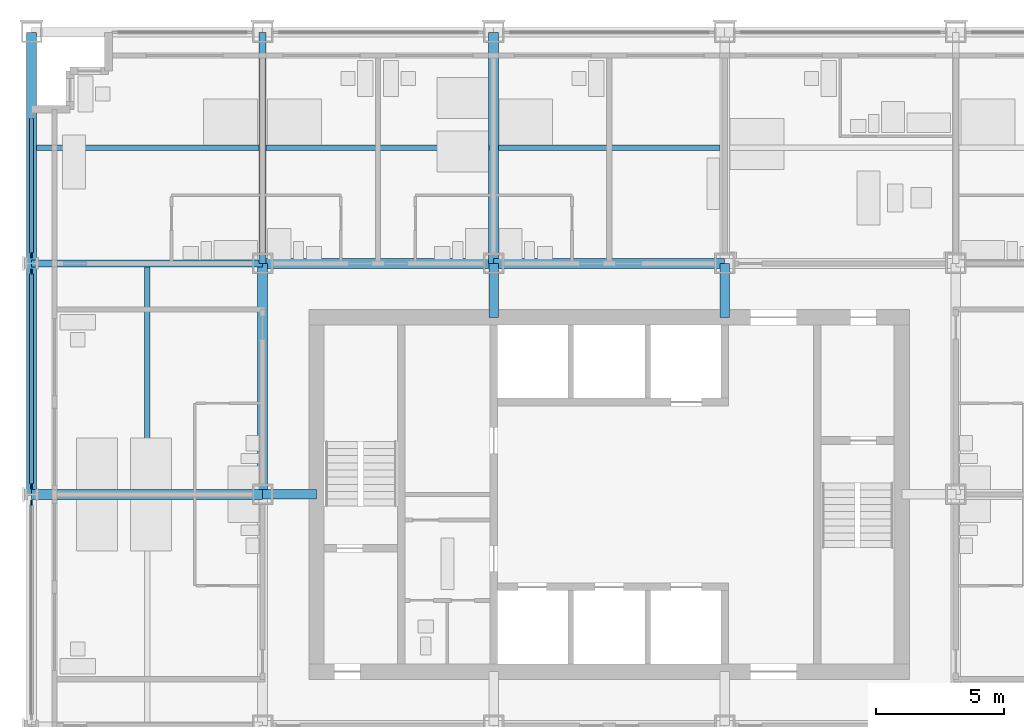
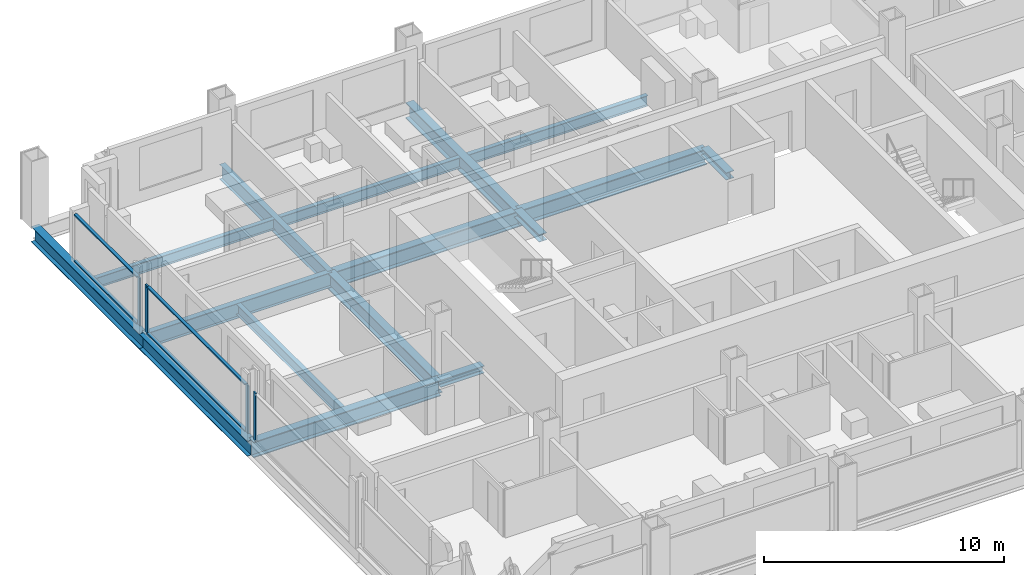
# One storey, part 4 of 16: 13 beams, 11 members, 3 elements without a shape of their own.
"""IFC4 building model written with IfcOpenShell, lengths in metres."""

from ifc_helpers import new_model, si_unit, direction, frame, origin, origin_2d, place, context, subcontext, project, spatial, rectangle, i_section, extrude, material, material_profile, profile_set, type_object, element, aggregate, save


model = new_model("IFC4")

# Units and contexts
model_context = context("Model", 3, precision=1e-05, world=origin(), true_north=direction((0.0, 1.0)))
body_context = subcontext(model_context, "Body", "Model", "MODEL_VIEW")
ifc_project = project(units=[si_unit("LENGTHUNIT", "METRE"), si_unit("AREAUNIT", "SQUARE_METRE"), si_unit("VOLUMEUNIT", "CUBIC_METRE"), si_unit("PLANEANGLEUNIT", "RADIAN"), si_unit("MASSUNIT", "GRAM", prefix="KILO")], contexts=[model_context])

# Site, building, storey
site_placement = place(None, origin())
site = spatial("IfcSite", under=ifc_project, at=site_placement, CompositionType="ELEMENT")
building_placement = place(site_placement, origin())
building = spatial("IfcBuilding", under=site, at=building_placement, Name="Loomwork Tower", CompositionType="ELEMENT")
storey_placement = place(building_placement, frame((0.0, 0.0, 131.60009765625)))
storey = spatial("IfcBuildingStorey", under=building, at=storey_placement, Name="L35", CompositionType="ELEMENT", Elevation=131.60009765625)

# Beams
ifc_material_1 = material(Name="Steel ASTM A992", Category="steel")
ifc_material_profile_1 = material_profile(ifc_material_1, i_section(OverallWidth=0.383544921875, OverallDepth=0.794921875, WebThickness=0.02099609375, FlangeThickness=0.0380859375, at=origin_2d()), Name="W30x235")
ifc_profile_set_1 = profile_set([ifc_material_profile_1], Name="Steel ASTM A992")
beam_type_1 = type_object("IfcBeamType", Name="CORE FLANK GIRDER W30x235", PredefinedType="BEAM", material=ifc_profile_set_1)
for number, where, z_axis, x_axis, name in (
    (1, (0.0, 18.0, -0.59765625), (1.0, 0.0, 0.0), (0.0, 1.0, 0.0), "Core Flank Girder F/2-F/3 L35"),
    (2, (9.0, 27.0, -0.59765625), (1.0, 0.0, 0.0), (0.0, 1.0, 0.0), "Core Flank Girder G/3-G/4 L35"),
    (3, (18.0, 27.0, -0.59765625), (1.0, 0.0, 0.0), (0.0, 1.0, 0.0), "Core Flank Girder G/4-G/5 L35"),
    (4, (9.0, 18.0, -0.59765625), (0.0, 1.0, 0.0), (-1.0, 0.0, 0.0), "Core Flank Girder F/3-G/3 L35"),
    (5, (18.0, 27.0, -0.59765625), (0.0, 1.0, 0.0), (-1.0, 0.0, 0.0), "Core Flank Girder G/4-H/4 L35"),
):
    element("IfcBeam", number, at=place(storey_placement, frame(where, z_axis=z_axis, x_axis=x_axis)), inside=storey, type_object=beam_type_1, Name=name, PredefinedType="BEAM", context=body_context, shape_type="SweptSolid", body=[
        extrude(i_section(OverallWidth=0.383544921875, OverallDepth=0.794921875, WebThickness=0.02099609375, FlangeThickness=0.0380859375, at=origin_2d()), origin(), (0.0, 0.0, 1.0), 9.0),
    ])

# Members
ifc_material_2 = material(Name="Steel ASTM A992", Category="steel")
ifc_material_profile_2 = material_profile(ifc_material_2, i_section(OverallWidth=0.373291015625, OverallDepth=0.373291015625, WebThickness=0.016357421875, FlangeThickness=0.026123046875, at=origin_2d()), Name="W14x132")
ifc_profile_set_2 = profile_set([ifc_material_profile_2], Name="Steel ASTM A992")
member_type_1 = type_object("IfcMemberType", Name="CORE LINK STRUT W14x132", PredefinedType="STRUT", material=ifc_profile_set_2)
for number, where, z_axis, x_axis, name in (
    (6, (27.0, 27.0, -0.38671875), (0.0, -1.0, 0.0), (1.0, 0.0, 0.0), "Core link strut G/5-27.000,24.900 L35"),
    (7, (18.0, 27.0, -0.38671875), (0.0, -1.0, 0.0), (1.0, 0.0, 0.0), "Core link strut G/4-18.000,24.900 L35"),
    (8, (9.0, 18.0, -0.38671875), (1.0, 0.0, 0.0), (0.0, 1.0, 0.0), "Core link strut F/3-11.100,18.000 L35"),
):
    element("IfcMember", number, at=place(storey_placement, frame(where, z_axis=z_axis, x_axis=x_axis)), inside=storey, type_object=member_type_1, Name=name, PredefinedType="STRUT", context=body_context, shape_type="SweptSolid", body=[
        extrude(i_section(OverallWidth=0.373291015625, OverallDepth=0.373291015625, WebThickness=0.016357421875, FlangeThickness=0.026123046875, at=origin_2d()), origin(), (0.0, 0.0, 1.0), 2.10009765625),
    ])

# Beams
ifc_material_3 = material(Name="Steel ASTM A992", Category="steel")
ifc_material_profile_3 = material_profile(ifc_material_3, i_section(OverallWidth=0.2666015625, OverallDepth=0.761962890625, WebThickness=0.014404296875, FlangeThickness=0.021484375, at=origin_2d()), Name="W30x116")
ifc_profile_set_3 = profile_set([ifc_material_profile_3], Name="Steel ASTM A992")
beam_type_2 = type_object("IfcBeamType", Name="FLOOR GIRDER W30x116", PredefinedType="BEAM", material=ifc_profile_set_3)
for number, where, z_axis, x_axis, name in (
    (9, (0.0, 27.0, -0.5810546875), (1.0, 0.0, 0.0), (0.0, 1.0, 0.0), "Floor Girder G/2-G/3 L35"),
    (10, (9.0, 27.0, -0.5810546875), (0.0, 1.0, 0.0), (-1.0, 0.0, 0.0), "Floor Girder G/3-H/3 L35"),
):
    element("IfcBeam", number, at=place(storey_placement, frame(where, z_axis=z_axis, x_axis=x_axis)), inside=storey, type_object=beam_type_2, Name=name, PredefinedType="BEAM", context=body_context, shape_type="SweptSolid", body=[
        extrude(i_section(OverallWidth=0.2666015625, OverallDepth=0.761962890625, WebThickness=0.014404296875, FlangeThickness=0.021484375, at=origin_2d()), origin(), (0.0, 0.0, 1.0), 9.0),
    ])
ifc_material_4 = material(Name="Steel ASTM A992", Category="steel")
ifc_material_profile_4 = material_profile(ifc_material_4, i_section(OverallWidth=0.2109375, OverallDepth=0.53857421875, WebThickness=0.011474609375, FlangeThickness=0.018798828125, at=origin_2d()), Name="W21x73")
ifc_profile_set_4 = profile_set([ifc_material_profile_4], Name="Steel ASTM A992")
beam_type_3 = type_object("IfcBeamType", Name="FLOOR JOIST W21x73", PredefinedType="JOIST", material=ifc_profile_set_4)
beam_1_placement = place(storey_placement, frame((4.5, 18.19091796875, -0.46923828125), z_axis=(0.0, 1.0, 0.0), x_axis=(-1.0, 0.0, 0.0)))
element("IfcBeam", 11, at=beam_1_placement, inside=storey, type_object=beam_type_3, Name="Floor Joist 4.500,18.000-4.500,27.000 L35", PredefinedType="JOIST", context=body_context, shape_type="SweptSolid", body=[
    extrude(i_section(OverallWidth=0.2109375, OverallDepth=0.53857421875, WebThickness=0.011474609375, FlangeThickness=0.018798828125, at=origin_2d()), origin(), (0.0, 0.0, 1.0), 8.676025390625),
])
beam_2_placement = place(storey_placement, frame((0.18994140625, 31.5, -0.46923828125), z_axis=(1.0, 0.0, 0.0), x_axis=(0.0, 1.0, 0.0)))
element("IfcBeam", 12, at=beam_2_placement, inside=storey, type_object=beam_type_3, Name="Floor Joist 0.000,31.500-9.000,31.500 L35", PredefinedType="JOIST", context=body_context, shape_type="SweptSolid", body=[
    extrude(i_section(OverallWidth=0.2109375, OverallDepth=0.53857421875, WebThickness=0.011474609375, FlangeThickness=0.018798828125, at=origin_2d()), origin(), (0.0, 0.0, 1.0), 8.677001953125),
])
beam_3_placement = place(storey_placement, frame((9.133056640625, 31.5, -0.46923828125), z_axis=(1.0, 0.0, 0.0), x_axis=(0.0, 1.0, 0.0)))
element("IfcBeam", 13, at=beam_3_placement, inside=storey, type_object=beam_type_3, Name="Floor Joist 9.000,31.500-18.000,31.500 L35", PredefinedType="JOIST", context=body_context, shape_type="SweptSolid", body=[
    extrude(i_section(OverallWidth=0.2109375, OverallDepth=0.53857421875, WebThickness=0.011474609375, FlangeThickness=0.018798828125, at=origin_2d()), origin(), (0.0, 0.0, 1.0), 8.676025390625),
])
beam_4_placement = place(storey_placement, frame((18.19091796875, 31.5, -0.46923828125), z_axis=(1.0, 0.0, 0.0), x_axis=(0.0, 1.0, 0.0)))
element("IfcBeam", 14, at=beam_4_placement, inside=storey, type_object=beam_type_3, Name="Floor Joist 18.000,31.500-27.000,31.500 L35", PredefinedType="JOIST", context=body_context, shape_type="SweptSolid", body=[
    extrude(i_section(OverallWidth=0.2109375, OverallDepth=0.53857421875, WebThickness=0.011474609375, FlangeThickness=0.018798828125, at=origin_2d()), origin(), (0.0, 0.0, 1.0), 8.6181640625),
])

# Curtain wall, member
ifc_material_5 = material(Name="Aluminium curtain wall frame", Category="aluminium")
curtain_wall_type = type_object("IfcCurtainWallType", Name="Outer skin glazing hotel", PredefinedType="NOTDEFINED", material=ifc_material_5)
curtain_wall_1_placement = place(storey_placement, origin())
curtain_wall_1 = element("IfcCurtainWall", 15, at=curtain_wall_1_placement, inside=storey, type_object=curtain_wall_type, Name="Outer skin glazing hotel cw/W-9", PredefinedType="NOTDEFINED")
ifc_material_6 = material(Name="Aluminium curtain wall frame", Category="aluminium")
ifc_material_profile_5 = material_profile(ifc_material_6, rectangle(XDim=0.06494140625, YDim=0.199951171875, at=origin_2d()), Name="AL 65x200")
ifc_profile_set_5 = profile_set([ifc_material_profile_5], Name="Aluminium curtain wall frame")
member_type_2 = type_object("IfcMemberType", Name="Outer skin glazing hotel mullion", PredefinedType="MULLION", material=ifc_profile_set_5)
member_1_placement = place(storey_placement, frame((0.0, 17.678955078125, 0.0), z_axis=(0.0, 0.0, 1.0), x_axis=(1.0, 0.0, 0.0)))
member_1 = element("IfcMember", 16, at=member_1_placement, type_object=member_type_2, Name="CW1 mullion 1", PredefinedType="MULLION", context=body_context, shape_type="SweptSolid", body=[
    extrude(rectangle(XDim=0.06494140625, YDim=0.199951171875, at=origin_2d()), origin(), (0.0, 0.0, 1.0), 2.420166015625),
])
aggregate(curtain_wall_1, [member_1])

# Curtain wall, members
curtain_wall_2_placement = place(storey_placement, origin())
curtain_wall_2 = element("IfcCurtainWall", 17, at=curtain_wall_2_placement, inside=storey, type_object=curtain_wall_type, Name="Outer skin glazing hotel cw/W-18", PredefinedType="NOTDEFINED")
member_2_placement = place(storey_placement, frame((0.0, 26.678955078125, 0.0), z_axis=(0.0, 0.0, 1.0), x_axis=(1.0, 0.0, 0.0)))
member_2 = element("IfcMember", 18, at=member_2_placement, type_object=member_type_2, Name="CW1 mullion 1", PredefinedType="MULLION", context=body_context, shape_type="SweptSolid", body=[
    extrude(rectangle(XDim=0.06494140625, YDim=0.199951171875, at=origin_2d()), origin(), (0.0, 0.0, 1.0), 2.420166015625),
])
member_3_placement = place(storey_placement, frame((0.0, 18.321044921875, 0.0), z_axis=(0.0, 0.0, 1.0), x_axis=(1.0, 0.0, 0.0)))
member_3 = element("IfcMember", 19, at=member_3_placement, type_object=member_type_2, Name="CW1 mullion 2", PredefinedType="MULLION", context=body_context, shape_type="SweptSolid", body=[
    extrude(rectangle(XDim=0.06494140625, YDim=0.199951171875, at=origin_2d()), origin(), (0.0, 0.0, 1.0), 2.420166015625),
])

# Curtain wall, member
curtain_wall_3_placement = place(storey_placement, origin())
curtain_wall_3 = element("IfcCurtainWall", 20, at=curtain_wall_3_placement, inside=storey, type_object=curtain_wall_type, Name="Outer skin glazing hotel cw/W-27", PredefinedType="NOTDEFINED")
member_4_placement = place(storey_placement, frame((0.0, 27.321044921875, 0.0), z_axis=(0.0, 0.0, 1.0), x_axis=(1.0, 0.0, 0.0)))
member_4 = element("IfcMember", 21, at=member_4_placement, type_object=member_type_2, Name="CW1 mullion 2", PredefinedType="MULLION", context=body_context, shape_type="SweptSolid", body=[
    extrude(rectangle(XDim=0.06494140625, YDim=0.199951171875, at=origin_2d()), origin(), (0.0, 0.0, 1.0), 2.420166015625),
])

# Member
ifc_material_7 = material(Name="Aluminium curtain wall frame", Category="aluminium")
ifc_material_profile_6 = material_profile(ifc_material_7, rectangle(XDim=0.14990234375, YDim=0.06494140625, at=origin_2d()), Name="AL 65x150")
ifc_profile_set_6 = profile_set([ifc_material_profile_6], Name="Aluminium curtain wall frame")
member_type_3 = type_object("IfcMemberType", Name="Outer skin glazing hotel transom", PredefinedType="USERDEFINED", material=ifc_profile_set_6)
member_5_placement = place(storey_placement, frame((0.0, 26.5791015625, 0.032470703125), z_axis=(0.0, -1.0, 0.0), x_axis=(1.0, 0.0, 0.0)))
member_5 = element("IfcMember", 22, at=member_5_placement, type_object=member_type_3, Name="CW1 transom 1.1", ObjectType="TRANSOM", PredefinedType="USERDEFINED", context=body_context, shape_type="SweptSolid", body=[
    extrude(rectangle(XDim=0.14990234375, YDim=0.06494140625, at=origin_2d()), origin(), (0.0, 0.0, 1.0), 8.158203125),
])

member_6_placement = place(storey_placement, frame((0.0, 26.5791015625, 2.3876953125), z_axis=(0.0, -1.0, 0.0), x_axis=(1.0, 0.0, 0.0)))
member_6 = element("IfcMember", 23, at=member_6_placement, type_object=member_type_3, Name="CW1 transom 1.2", ObjectType="TRANSOM", PredefinedType="USERDEFINED", context=body_context, shape_type="SweptSolid", body=[
    extrude(rectangle(XDim=0.14990234375, YDim=0.06494140625, at=origin_2d()), origin(), (0.0, 0.0, 1.0), 8.158203125),
])

aggregate(curtain_wall_2, [member_2, member_3, member_5, member_6])

member_7_placement = place(storey_placement, frame((0.0, 32.64990234375, 0.032470703125), z_axis=(0.0, -1.0, 0.0), x_axis=(1.0, 0.0, 0.0)))
member_7 = element("IfcMember", 24, at=member_7_placement, type_object=member_type_3, Name="CW1 transom 1.1", ObjectType="TRANSOM", PredefinedType="USERDEFINED", context=body_context, shape_type="SweptSolid", body=[
    extrude(rectangle(XDim=0.14990234375, YDim=0.06494140625, at=origin_2d()), origin(), (0.0, 0.0, 1.0), 5.22900390625),
])

member_8_placement = place(storey_placement, frame((0.0, 32.64990234375, 2.3876953125), z_axis=(0.0, -1.0, 0.0), x_axis=(1.0, 0.0, 0.0)))
member_8 = element("IfcMember", 25, at=member_8_placement, type_object=member_type_3, Name="CW1 transom 1.2", ObjectType="TRANSOM", PredefinedType="USERDEFINED", context=body_context, shape_type="SweptSolid", body=[
    extrude(rectangle(XDim=0.14990234375, YDim=0.06494140625, at=origin_2d()), origin(), (0.0, 0.0, 1.0), 5.22900390625),
])

aggregate(curtain_wall_3, [member_4, member_7, member_8])

# Beams
ifc_material_8 = material(Name="Steel ASTM A992", Category="steel")
ifc_material_profile_7 = material_profile(ifc_material_8, i_section(OverallWidth=0.381103515625, OverallDepth=0.77978515625, WebThickness=0.01806640625, FlangeThickness=0.0302734375, at=origin_2d()), Name="W30x191")
ifc_profile_set_7 = profile_set([ifc_material_profile_7], Name="Steel ASTM A992")
beam_type_4 = type_object("IfcBeamType", Name="SPANDREL GIRDER W30x191", PredefinedType="SPANDREL", material=ifc_profile_set_7)
for number, where, z_axis, x_axis, name in (
    (26, (0.0, 18.0, -0.590087890625), (0.0, 1.0, 0.0), (-1.0, 0.0, 0.0), "Spandrel Girder F/2-G/2 L35"),
    (27, (0.0, 27.0, -0.590087890625), (0.0, 1.0, 0.0), (-1.0, 0.0, 0.0), "Spandrel Girder G/2-H/2 L35"),
):
    element("IfcBeam", number, at=place(storey_placement, frame(where, z_axis=z_axis, x_axis=x_axis)), inside=storey, type_object=beam_type_4, Name=name, PredefinedType="SPANDREL", context=body_context, shape_type="SweptSolid", body=[
        extrude(i_section(OverallWidth=0.381103515625, OverallDepth=0.77978515625, WebThickness=0.01806640625, FlangeThickness=0.0302734375, at=origin_2d()), origin(), (0.0, 0.0, 1.0), 9.0),
    ])

save(model, "model.ifc")
